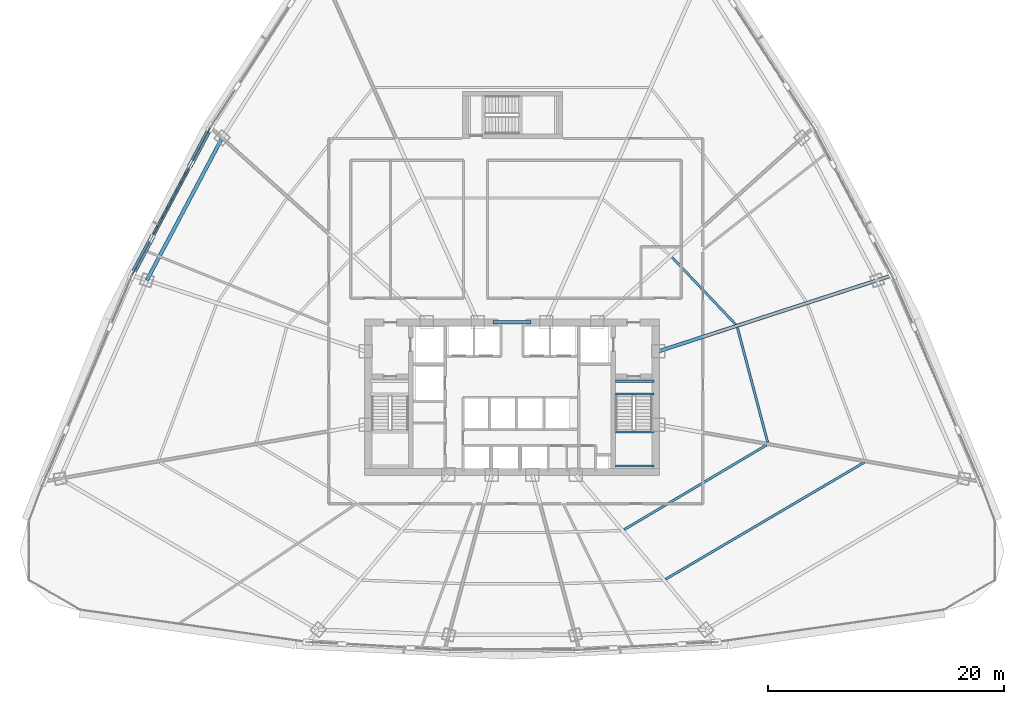
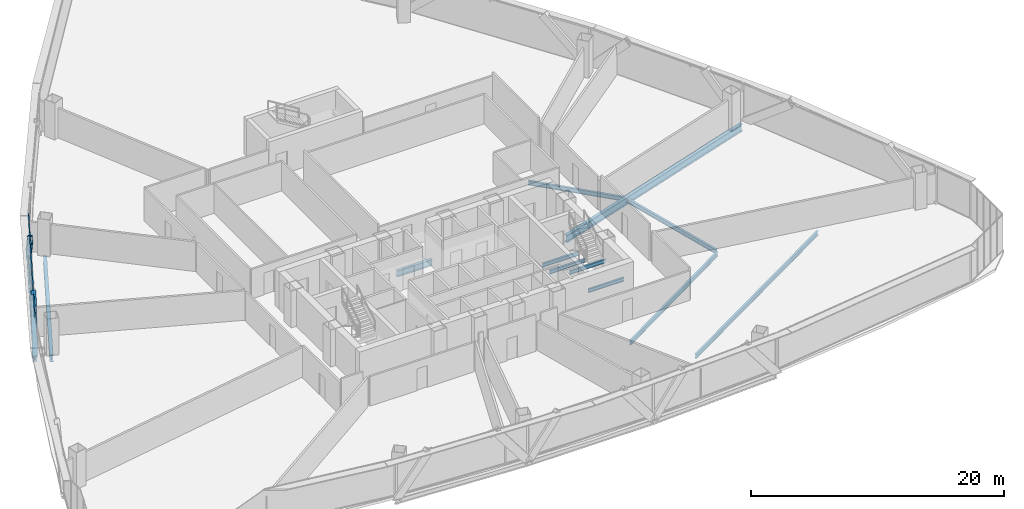
# One storey, part 15 of 41: 12 beams, 4 members, 1 element without a shape of its own.
"""IFC4 building model written with IfcOpenShell, lengths in metres."""

from ifc_helpers import new_model, si_unit, direction, frame, origin, origin_2d, place, context, subcontext, project, spatial, hollow_rectangle, i_section, extrude, source, transform, mapped, material, layer, layer_set, material_profile, profile_set, type_object, element, aggregate, save


model = new_model("IFC4")

# Units and contexts
model_context = context("Model", 3, precision=1e-05, world=origin(), true_north=direction((0.0, 1.0)))
body_context = subcontext(model_context, "Body", "Model", "MODEL_VIEW")
ifc_project = project(units=[si_unit("LENGTHUNIT", "METRE"), si_unit("AREAUNIT", "SQUARE_METRE"), si_unit("VOLUMEUNIT", "CUBIC_METRE"), si_unit("PLANEANGLEUNIT", "RADIAN"), si_unit("MASSUNIT", "GRAM", prefix="KILO"), si_unit("THERMODYNAMICTEMPERATUREUNIT", "KELVIN"), si_unit("POWERUNIT", "WATT")], contexts=[model_context])

# Site, building, storey
site_placement = place(None, origin())
site = spatial("IfcSite", under=ifc_project, at=site_placement, CompositionType="ELEMENT")
building_placement = place(site_placement, origin())
building = spatial("IfcBuilding", under=site, at=building_placement, Name="Yunzhuo Pagoda Commons", CompositionType="ELEMENT")
storey_placement = place(building_placement, frame((0.0, 0.0, 111.580078125)))
storey = spatial("IfcBuildingStorey", under=building, at=storey_placement, Name="L28", CompositionType="ELEMENT", Elevation=111.580078125)

# Beams
ifc_material_1 = material(Name="Structural steel Q355B", Category="steel")
ifc_material_profile_1 = material_profile(ifc_material_1, i_section(OverallWidth=0.175048828125, OverallDepth=0.35009765625, WebThickness=0.007080078125, FlangeThickness=0.010986328125, at=origin_2d()), Name="Structural steel Q355B")
ifc_profile_set_1 = profile_set([ifc_material_profile_1], Name="Structural steel Q355B")
beam_type_1 = type_object("IfcBeamType", Name="B-JS2 Joist HN 350x175x7x11", PredefinedType="JOIST", material=ifc_profile_set_1)
shared_shape_1 = source(origin(), body_context, "Body", "SweptSolid", [
    extrude(i_section(OverallWidth=0.175048828125, OverallDepth=0.35009765625, WebThickness=0.007080078125, FlangeThickness=0.010986328125, at=origin_2d()), origin(), (0.0, 0.0, 1.0), 3.25),
])
for number, where, z_axis, x_axis, name in (
    (1, (56.800048828125, 28.0, 1.525146484375), (1.0, 0.0, 0.0), (0.0, 1.0, 0.0), "L28 ST2 landing support beam 34A"),
    (2, (56.800048828125, 30.89990234375, 1.525146484375), (1.0, 0.0, 0.0), (0.0, 1.0, 0.0), "L28 ST2 landing support beam 34B"),
    (3, (56.800048828125, 34.10009765625, -0.375), (1.0, 0.0, 0.0), (0.0, 1.0, 0.0), "L28 ST2 landing support beam 132A"),
    (4, (56.800048828125, 35.199951171875, -0.375), (1.0, 0.0, 0.0), (0.0, 1.0, 0.0), "L28 ST2 landing support beam 132B"),
):
    element("IfcBeam", number, at=place(storey_placement, frame(where, z_axis=z_axis, x_axis=x_axis)), inside=storey, type_object=beam_type_1, Name=name, PredefinedType="JOIST", context=body_context, shape_type="MappedRepresentation", body=[
        mapped(shared_shape_1, transform((0.0, 0.0, 0.0), scale=1.0)),
    ])
ifc_material_2 = material(Name="Structural steel Q420B", Category="steel")
ifc_material_profile_2 = material_profile(ifc_material_2, i_section(OverallWidth=0.300048828125, OverallDepth=0.587890625, WebThickness=0.011962890625, FlangeThickness=0.02001953125, at=origin_2d()), Name="Structural steel Q420B")
ifc_profile_set_2 = profile_set([ifc_material_profile_2], Name="Structural steel Q420B")
beam_type_2 = type_object("IfcBeamType", Name="B-CPL Beam HM 588x300x12x20", PredefinedType="BEAM", material=ifc_profile_set_2)
shared_shape_2 = source(origin(), body_context, "Body", "SweptSolid", [
    extrude(i_section(OverallWidth=0.300048828125, OverallDepth=0.587890625, WebThickness=0.011962890625, FlangeThickness=0.02001953125, at=origin_2d()), origin(), (0.0, 0.0, 1.0), 3.2001953125),
])
beam_1_placement = place(storey_placement, frame((46.39990234375, 40.199951171875, -0.55419921875), z_axis=(1.0, 0.0, 0.0), x_axis=(0.0, 1.0, 0.0)))
element("IfcBeam", 5, at=beam_1_placement, inside=storey, type_object=beam_type_2, Name="L28 core coupling girder", PredefinedType="BEAM", context=body_context, shape_type="MappedRepresentation", body=[
    mapped(shared_shape_2, transform((0.0, 0.0, 0.0), scale=1.0)),
])
ifc_material_profile_3 = material_profile(ifc_material_1, i_section(OverallWidth=0.300048828125, OverallDepth=0.699951171875, WebThickness=0.012939453125, FlangeThickness=0.02392578125, at=origin_2d()), Name="Structural steel Q355B")
ifc_profile_set_3 = profile_set([ifc_material_profile_3], Name="Structural steel Q355B")
beam_type_3 = type_object("IfcBeamType", Name="B-RG1 Beam HN 700x300x13x24", PredefinedType="BEAM", material=ifc_profile_set_3)
shared_shape_3 = source(origin(), body_context, "Body", "SweptSolid", [
    extrude(i_section(OverallWidth=0.300048828125, OverallDepth=0.699951171875, WebThickness=0.012939453125, FlangeThickness=0.02392578125, at=origin_2d()), origin(), (0.0, 0.0, 1.0), 13.66748046875),
])
beam_2_placement = place(storey_placement, frame((23.397216796875, 55.852294921875, -0.610107421875), z_axis=(-0.467383716456, -0.88405455804, 0.0), x_axis=(0.88405455804, -0.467383716456, 0.0)))
element("IfcBeam", 6, at=beam_2_placement, inside=storey, type_object=beam_type_3, Name="L28 column-ring beam 10", PredefinedType="BEAM", context=body_context, shape_type="MappedRepresentation", body=[
    mapped(shared_shape_3, transform((0.0, 0.0, 0.0), scale=1.0)),
])
ifc_material_profile_4 = material_profile(ifc_material_1, i_section(OverallWidth=0.199951171875, OverallDepth=0.39990234375, WebThickness=0.008056640625, FlangeThickness=0.012939453125, at=origin_2d()), Name="Structural steel Q355B")
ifc_profile_set_4 = profile_set([ifc_material_profile_4], Name="Structural steel Q355B")
beam_type_4 = type_object("IfcBeamType", Name="B-JS1 Joist HN 400x200x8x13", PredefinedType="JOIST", material=ifc_profile_set_4)
shared_shape_4 = source(origin(), body_context, "Body", "SweptSolid", [
    extrude(i_section(OverallWidth=0.199951171875, OverallDepth=0.39990234375, WebThickness=0.008056640625, FlangeThickness=0.012939453125, at=origin_2d()), origin(), (0.0, 0.0, 1.0), 14.061767578125),
])
beam_3_placement = place(storey_placement, frame((57.517578125, 22.601806640625, -0.4599609375), z_axis=(0.859683443923, 0.510827149088, 0.0), x_axis=(-0.510827149088, 0.859683443923, 0.0)))
element("IfcBeam", 7, at=beam_3_placement, inside=storey, type_object=beam_type_4, Name="L28 composite ring joist 1.4", PredefinedType="JOIST", context=body_context, shape_type="MappedRepresentation", body=[
    mapped(shared_shape_4, transform((0.0, 0.0, 0.0), scale=1.0)),
])
shared_shape_5 = source(origin(), body_context, "Body", "SweptSolid", [
    extrude(i_section(OverallWidth=0.199951171875, OverallDepth=0.39990234375, WebThickness=0.008056640625, FlangeThickness=0.012939453125, at=origin_2d()), origin(), (0.0, 0.0, 1.0), 19.568603515625),
])
beam_4_placement = place(storey_placement, frame((61.04541015625, 18.39697265625, -0.4599609375), z_axis=(0.861862685393, 0.50714170754, 0.0), x_axis=(-0.50714170754, 0.861862685393, 0.0)))
element("IfcBeam", 8, at=beam_4_placement, inside=storey, type_object=beam_type_4, Name="L28 composite ring joist 2.4", PredefinedType="JOIST", context=body_context, shape_type="MappedRepresentation", body=[
    mapped(shared_shape_5, transform((0.0, 0.0, 0.0), scale=1.0)),
])
shared_shape_6 = source(origin(), body_context, "Body", "SweptSolid", [
    extrude(i_section(OverallWidth=0.199951171875, OverallDepth=0.39990234375, WebThickness=0.008056640625, FlangeThickness=0.012939453125, at=origin_2d()), origin(), (0.0, 0.0, 1.0), 10.0634765625),
])
beam_5_placement = place(storey_placement, frame((69.702392578125, 30.019775390625, -0.4599609375), z_axis=(-0.255289713136, 0.966864603948, 0.0), x_axis=(-0.966864603948, -0.255289713136, 0.0)))
element("IfcBeam", 9, at=beam_5_placement, inside=storey, type_object=beam_type_4, Name="L28 composite ring joist 1.5", PredefinedType="JOIST", context=body_context, shape_type="MappedRepresentation", body=[
    mapped(shared_shape_6, transform((0.0, 0.0, 0.0), scale=1.0)),
])
shared_shape_7 = source(origin(), body_context, "Body", "SweptSolid", [
    extrude(i_section(OverallWidth=0.199951171875, OverallDepth=0.39990234375, WebThickness=0.008056640625, FlangeThickness=0.012939453125, at=origin_2d()), origin(), (0.0, 0.0, 1.0), 7.85009765625),
])
beam_6_placement = place(storey_placement, frame((66.9833984375, 40.01904296875, -0.4599609375), z_axis=(-0.687513423145, 0.726171669095, 0.0), x_axis=(-0.726171669095, -0.687513423145, 0.0)))
element("IfcBeam", 10, at=beam_6_placement, inside=storey, type_object=beam_type_4, Name="L28 composite ring joist 1.6", PredefinedType="JOIST", context=body_context, shape_type="MappedRepresentation", body=[
    mapped(shared_shape_7, transform((0.0, 0.0, 0.0), scale=1.0)),
])
shared_shape_8 = source(origin(), body_context, "Body", "SweptSolid", [
    extrude(i_section(OverallWidth=0.300048828125, OverallDepth=0.699951171875, WebThickness=0.012939453125, FlangeThickness=0.02392578125, at=origin_2d()), origin(), (0.0, 0.0, 1.0), 20.725341796875),
])
beam_7_placement = place(storey_placement, frame((80.11083984375, 44.13330078125, -0.610107421875), z_axis=(-0.951058997127, -0.309009359055, 0.0), x_axis=(0.309009359055, -0.951058997127, 0.0)))
element("IfcBeam", 11, at=beam_7_placement, inside=storey, type_object=beam_type_3, Name="L28 radial floor girder F2C2", PredefinedType="BEAM", context=body_context, shape_type="MappedRepresentation", body=[
    mapped(shared_shape_8, transform((0.0, 0.0, 0.0), scale=1.0)),
])
ifc_material_profile_5 = material_profile(ifc_material_1, i_section(OverallWidth=0.300048828125, OverallDepth=0.488037109375, WebThickness=0.010986328125, FlangeThickness=0.01806640625, at=origin_2d()), Name="Structural steel Q355B")
ifc_profile_set_5 = profile_set([ifc_material_profile_5], Name="Structural steel Q355B")
beam_type_5 = type_object("IfcBeamType", Name="B-SP1 Beam HM 488x300x11x18", PredefinedType="BEAM", material=ifc_profile_set_5)
shared_shape_9 = source(origin(), body_context, "Body", "SweptSolid", [
    extrude(i_section(OverallWidth=0.300048828125, OverallDepth=0.488037109375, WebThickness=0.010986328125, FlangeThickness=0.01806640625, at=origin_2d()), origin(), (0.0, 0.0, 1.0), 14.220947265625),
])
beam_8_placement = place(storey_placement, frame((22.407958984375, 56.743408203125, -0.504150390625), z_axis=(-0.468761461949, -0.883324794055, 0.0), x_axis=(0.883324794055, -0.468761461949, 0.0)))
element("IfcBeam", 12, at=beam_8_placement, inside=storey, type_object=beam_type_5, Name="L28 facade edge spandrel beam F3.2", PredefinedType="BEAM", context=body_context, shape_type="MappedRepresentation", body=[
    mapped(shared_shape_9, transform((0.0, 0.0, 0.0), scale=1.0)),
])

# Members
ifc_material_profile_6 = material_profile(ifc_material_2, hollow_rectangle(XDim=0.419921875, YDim=0.719970703125, WallThickness=0.028076171875, at=origin_2d()), Name="Structural steel Q420B")
ifc_profile_set_6 = profile_set([ifc_material_profile_6], Name="Structural steel Q420B")
member_type_1 = type_object("IfcMemberType", Name="M-DL1 Brace BOX 720x420x28", PredefinedType="BRACE", material=ifc_profile_set_6)
shared_shape_10 = source(origin(), body_context, "Body", "SweptSolid", [
    extrude(hollow_rectangle(XDim=0.419921875, YDim=0.719970703125, WallThickness=0.028076171875, at=origin_2d()), origin(), (0.0, 0.0, 1.0), 5.20361328125),
])
member_1_placement = place(storey_placement, frame((15.74169921875, 44.181640625, -0.260009765625), z_axis=(0.320256182833, 0.603447849927, 0.730264794287), x_axis=(-0.883313039541, 0.468783611251, 0.0)))
element("IfcMember", 13, at=member_1_placement, inside=storey, type_object=member_type_1, Name="L28 facade diamond brace F3.2R", PredefinedType="BRACE", context=body_context, shape_type="MappedRepresentation", body=[
    mapped(shared_shape_10, transform((0.0, 0.0, 0.0), scale=1.0)),
])
shared_shape_11 = source(origin(), body_context, "Body", "SweptSolid", [
    extrude(hollow_rectangle(XDim=0.419921875, YDim=0.719970703125, WallThickness=0.028076171875, at=origin_2d()), origin(), (0.0, 0.0, 1.0), 5.203857421875),
])
member_2_placement = place(storey_placement, frame((22.407958984375, 56.743408203125, -0.260009765625), z_axis=(-0.32023804876, -0.603507509412, 0.730223444029), x_axis=(0.883343218339, -0.468726741945, 0.0)))
element("IfcMember", 14, at=member_2_placement, inside=storey, type_object=member_type_1, Name="L28 facade diamond brace F3.2L", PredefinedType="BRACE", context=body_context, shape_type="MappedRepresentation", body=[
    mapped(shared_shape_11, transform((0.0, 0.0, 0.0), scale=1.0)),
])

# Curtain wall, members
ifc_material_3 = material(Name="Anodized aluminium 6063-T6", Category="aluminium")
ifc_layer = layer(ifc_material_3, 0.1650390625)
ifc_layer_set = layer_set([ifc_layer], Name="Anodized aluminium 6063-T6")
curtain_wall_type = type_object("IfcCurtainWallType", Name="CW-LOW Low-Zone Ribbon Curtain Wall", PredefinedType="NOTDEFINED", material=ifc_layer_set)
curtain_wall_placement = place(storey_placement, origin())
curtain_wall = element("IfcCurtainWall", 15, at=curtain_wall_placement, inside=storey, type_object=curtain_wall_type, Name="L28 curtain wall CW-L28-F3B3", PredefinedType="NOTDEFINED")
ifc_material_profile_7 = material_profile(ifc_material_3, hollow_rectangle(XDim=0.06005859375, YDim=0.139892578125, WallThickness=0.00341796875, at=origin_2d()), Name="Anodized aluminium 6063-T6")
ifc_profile_set_7 = profile_set([ifc_material_profile_7], Name="Anodized aluminium 6063-T6")
member_type_2 = type_object("IfcMemberType", Name="CW-LOW-T Transom RHS 140x60x3.5", PredefinedType="USERDEFINED", material=ifc_profile_set_7)
shared_shape_12 = source(origin(), body_context, "Body", "SweptSolid", [
    extrude(hollow_rectangle(XDim=0.06005859375, YDim=0.139892578125, WallThickness=0.00341796875, at=origin_2d()), origin(), (0.0, 0.0, 1.0), 14.0908203125),
])
member_3_placement = place(storey_placement, frame((22.37744140625, 56.685791015625, 0.030029296875), z_axis=(-0.468760780126, -0.883325155883, 0.0), x_axis=(0.883325155883, -0.468760780126, 0.0)))
member_3 = element("IfcMember", 16, at=member_3_placement, type_object=member_type_2, Name="CW transom 1.1", ObjectType="TRANSOM", PredefinedType="USERDEFINED", context=body_context, shape_type="MappedRepresentation", body=[
    mapped(shared_shape_12, transform((0.0, 0.0, 0.0), scale=1.0)),
])
member_4_placement = place(storey_placement, frame((22.37744140625, 56.685791015625, 3.510009765625), z_axis=(-0.468760780126, -0.883325155883, 0.0), x_axis=(0.883325155883, -0.468760780126, 0.0)))
member_4 = element("IfcMember", 17, at=member_4_placement, type_object=member_type_2, Name="CW transom 1.2", ObjectType="TRANSOM", PredefinedType="USERDEFINED", context=body_context, shape_type="MappedRepresentation", body=[
    mapped(shared_shape_12, transform((0.0, 0.0, 0.0), scale=1.0)),
])
aggregate(curtain_wall, [member_3, member_4])

save(model, "model.ifc")
